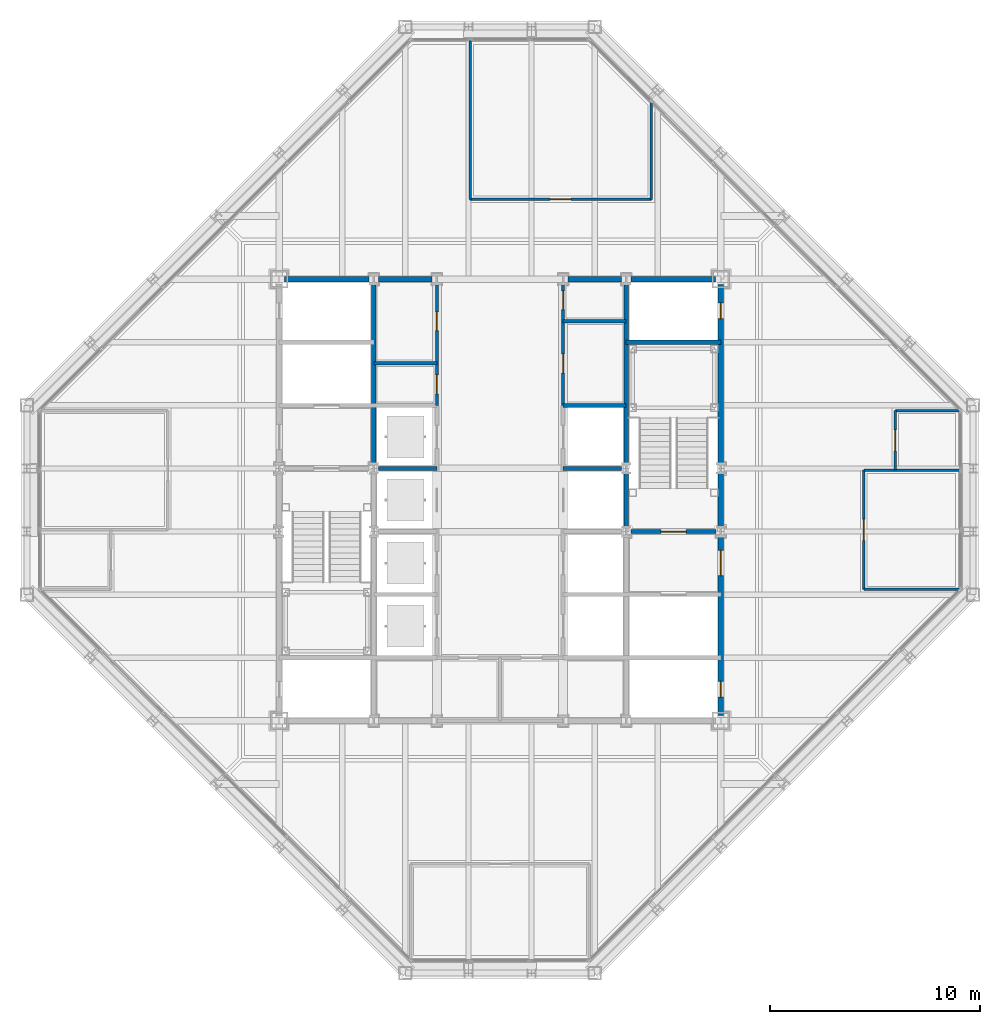
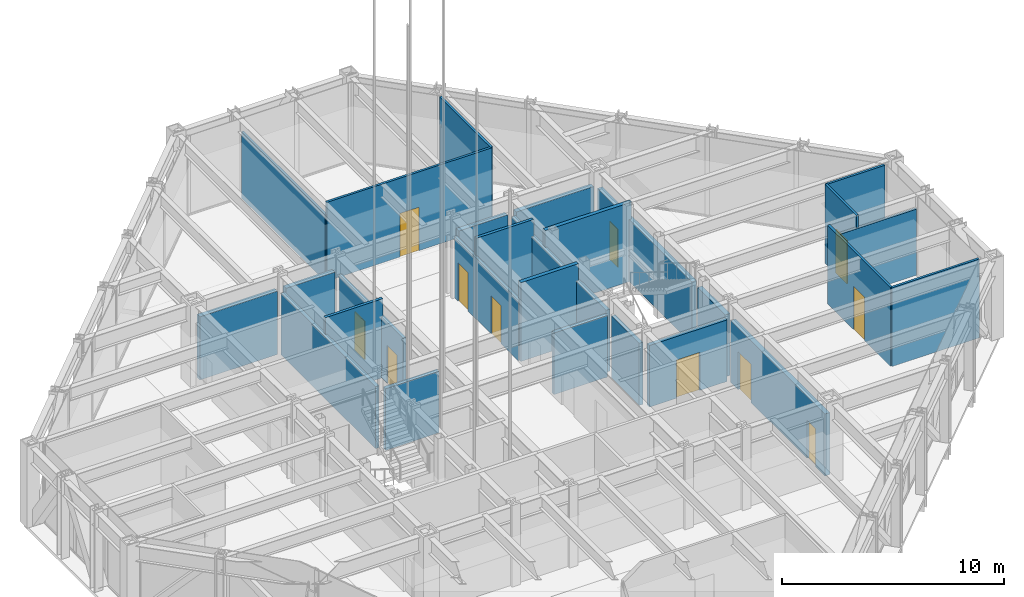
# One storey, part 11 of 24: 27 walls, 11 doors, 11 openings.
"""IFC4 building model written with IfcOpenShell, lengths in metres."""

from ifc_helpers import new_model, si_unit, direction, frame, frame_2d, origin, place, context, subcontext, project, spatial, rectangle, extrude, material, layer, layer_set, type_object, element, fill, save


model = new_model("IFC4")

# Units and contexts
model_context = context("Model", 3, precision=1e-05, world=origin(), true_north=direction((0.0, 1.0)))
body_context = subcontext(model_context, "Body", "Model", "MODEL_VIEW")
ifc_project = project(units=[si_unit("LENGTHUNIT", "METRE"), si_unit("AREAUNIT", "SQUARE_METRE"), si_unit("VOLUMEUNIT", "CUBIC_METRE"), si_unit("PLANEANGLEUNIT", "RADIAN"), si_unit("MASSUNIT", "GRAM", prefix="KILO")], contexts=[model_context])

# Site, building, storey
site_placement = place(None, origin())
site = spatial("IfcSite", under=ifc_project, at=site_placement, CompositionType="ELEMENT")
building_placement = place(site_placement, origin())
building = spatial("IfcBuilding", under=site, at=building_placement, Name="Chuquiago Exchange Tower", CompositionType="ELEMENT")
storey_placement = place(building_placement, frame((0.0, 0.0, 257.699951171875)))
storey = spatial("IfcBuildingStorey", under=building, at=storey_placement, Name="L57", CompositionType="ELEMENT", Elevation=257.699951171875)

# Walls
ifc_material_1 = material(Name="Concrete masonry, fully grouted", Category="masonry")
ifc_layer_1 = layer(ifc_material_1, 0.25)
ifc_layer_set_1 = layer_set([ifc_layer_1], Name="W1 core wall 250")
wall_type_1 = type_object("IfcWallType", Name="W1 core wall 250", PredefinedType="SOLIDWALL", material=ifc_layer_set_1)
wall_1_placement = place(storey_placement, frame((12.25, 33.0, 0.0), z_axis=(0.0, 0.0, 1.0), x_axis=(1.0, 0.0, 0.0)))
element("IfcWall", 1, at=wall_1_placement, inside=storey, type_object=wall_type_1, Name="CW-L57-11-0", PredefinedType="SOLIDWALL", context=body_context, shape_type="SweptSolid", body=[
    extrude(rectangle(XDim=4.025146484375, YDim=0.25, at=frame_2d((2.0126953125, 0.0))), origin(), (0.0, 0.0, 1.0), 3.4814453125),
])
for number, where, z_axis, x_axis, name in (
    (2, (16.724853515625, 33.0, 0.0), (0.0, 0.0, 1.0), (1.0, 0.0, 0.0), "CW-L57-11-1"),
    (3, (25.724853515625, 33.0, 0.0), (0.0, 0.0, 1.0), (1.0, 0.0, 0.0), "CW-L57-12-0"),
):
    element("IfcWall", number, at=place(storey_placement, frame(where, z_axis=z_axis, x_axis=x_axis)), inside=storey, type_object=wall_type_1, Name=name, PredefinedType="SOLIDWALL", context=body_context, shape_type="SweptSolid", body=[
        extrude(rectangle(XDim=2.55029296875, YDim=0.25, at=frame_2d((1.275146484375, 0.0))), origin(), (0.0, 0.0, 1.0), 3.4814453125),
    ])
wall_2_placement = place(storey_placement, frame((28.724853515625, 33.0, 0.0), z_axis=(0.0, 0.0, 1.0), x_axis=(1.0, 0.0, 0.0)))
element("IfcWall", 4, at=wall_2_placement, inside=storey, type_object=wall_type_1, Name="CW-L57-12-1", PredefinedType="SOLIDWALL", context=body_context, shape_type="SweptSolid", body=[
    extrude(rectangle(XDim=4.025146484375, YDim=0.25, at=frame_2d((2.0126953125, 0.0))), origin(), (0.0, 0.0, 1.0), 3.4814453125),
])

# Wall, openings, doors
wall_3_placement = place(storey_placement, frame((33.0, 12.25, 0.0), z_axis=(0.0, 0.0, 1.0), x_axis=(0.0, 1.0, 0.0)))
wall_3 = element("IfcWall", 5, at=wall_3_placement, inside=storey, type_object=wall_type_1, Name="CW-L57-25-0", PredefinedType="SOLIDWALL", context=body_context, shape_type="SweptSolid", body=[
    extrude(rectangle(XDim=8.5, YDim=0.25, at=frame_2d((4.25, 0.0))), origin(), (0.0, 0.0, 1.0), 3.412841796875),
])
opening_1_placement = place(wall_3_placement, frame((6.64990234375, 0.0, 0.0)))
opening_1 = element("IfcOpeningElement", 6, at=opening_1_placement, cuts=wall_3, Name="Opening L57-004", PredefinedType="OPENING", context=body_context, shape_type="SweptSolid", body=[
    extrude(rectangle(XDim=1.199951171875, YDim=2.10009765625, at=frame_2d((0.60009765625, 1.050048828125))), frame((0.0, 0.135009765625, 0.0), z_axis=(0.0, -1.0, 0.0), x_axis=(1.0, 0.0, 0.0)), (0.0, 0.0, 1.0), 0.27001953125),
])
opening_2_placement = place(wall_3_placement, frame((0.875, 0.0, 0.0)))
opening_2 = element("IfcOpeningElement", 7, at=opening_2_placement, cuts=wall_3, Name="Opening L57-009", PredefinedType="OPENING", context=body_context, shape_type="SweptSolid", body=[
    extrude(rectangle(XDim=0.75, YDim=2.10009765625, at=frame_2d((0.375, 1.050048828125))), frame((0.0, 0.135009765625, 0.0), z_axis=(0.0, -1.0, 0.0), x_axis=(1.0, 0.0, 0.0)), (0.0, 0.0, 1.0), 0.27001953125),
])
ifc_material_2 = material(Name="Steel door, painted", Category="steel")
door_type_1 = type_object("IfcDoorType", Name="D5 firefighting lobby door 1200x2100", OperationType="SINGLE_SWING_LEFT", PredefinedType="DOOR", material=ifc_material_2)
door_1_placement = place(opening_1_placement, origin())
door_1 = element("IfcDoor", 8, at=door_1_placement, inside=storey, type_object=door_type_1, Name="Firefighting lobby 2 door", OperationType="SINGLE_SWING_RIGHT", OverallHeight=2.10009765625, OverallWidth=1.199951171875, PredefinedType="DOOR", context=body_context, shape_type="SweptSolid", body=[
    extrude(rectangle(XDim=1.199951171875, YDim=2.10009765625, at=frame_2d((0.60009765625, 1.050048828125))), frame((0.0, 0.02490234375, 0.0), z_axis=(0.0, -1.0, 0.0), x_axis=(1.0, 0.0, 0.0)), (0.0, 0.0, 1.0), 0.050048828125),
])
fill(opening_1, door_1)
ifc_material_3 = material(Name="Steel door, painted", Category="steel")
door_type_2 = type_object("IfcDoorType", Name="D6 riser access door 750x2100", OperationType="SINGLE_SWING_LEFT", PredefinedType="DOOR", material=ifc_material_3)
door_2_placement = place(opening_2_placement, origin())
door_2 = element("IfcDoor", 9, at=door_2_placement, inside=storey, type_object=door_type_2, Name="Riser RE1 door", OperationType="SINGLE_SWING_LEFT", OverallHeight=2.10009765625, OverallWidth=0.75, PredefinedType="DOOR", context=body_context, shape_type="SweptSolid", body=[
    extrude(rectangle(XDim=0.75, YDim=2.10009765625, at=frame_2d((0.375, 1.050048828125))), frame((0.0, 0.02490234375, 0.0), z_axis=(0.0, -1.0, 0.0), x_axis=(1.0, 0.0, 0.0)), (0.0, 0.0, 1.0), 0.050048828125),
])
fill(opening_2, door_2)

# Wall
wall_4_placement = place(storey_placement, frame((33.0, 21.25, 0.0), z_axis=(0.0, 0.0, 1.0), x_axis=(0.0, 1.0, 0.0)))
element("IfcWall", 10, at=wall_4_placement, inside=storey, type_object=wall_type_1, Name="CW-L57-25-1", PredefinedType="SOLIDWALL", context=body_context, shape_type="SweptSolid", body=[
    extrude(rectangle(XDim=2.5, YDim=0.25, at=frame_2d((1.25, 0.0))), origin(), (0.0, 0.0, 1.0), 3.412841796875),
])

# Wall, opening, door
wall_5_placement = place(storey_placement, frame((33.0, 24.25, 0.0), z_axis=(0.0, 0.0, 1.0), x_axis=(0.0, 1.0, 0.0)))
wall_5 = element("IfcWall", 11, at=wall_5_placement, inside=storey, type_object=wall_type_1, Name="CW-L57-25-2", PredefinedType="SOLIDWALL", context=body_context, shape_type="SweptSolid", body=[
    extrude(rectangle(XDim=8.5, YDim=0.25, at=frame_2d((4.25, 0.0))), origin(), (0.0, 0.0, 1.0), 3.412841796875),
])
opening_3_placement = place(wall_5_placement, frame((6.875, 0.0, 0.0)))
opening_3 = element("IfcOpeningElement", 12, at=opening_3_placement, cuts=wall_5, Name="Opening L57-010", PredefinedType="OPENING", context=body_context, shape_type="SweptSolid", body=[
    extrude(rectangle(XDim=0.75, YDim=2.10009765625, at=frame_2d((0.375, 1.050048828125))), frame((0.0, 0.135009765625, 0.0), z_axis=(0.0, -1.0, 0.0), x_axis=(1.0, 0.0, 0.0)), (0.0, 0.0, 1.0), 0.27001953125),
])
door_3_placement = place(opening_3_placement, origin())
door_3 = element("IfcDoor", 13, at=door_3_placement, inside=storey, type_object=door_type_2, Name="Riser RE2 door", OperationType="SINGLE_SWING_RIGHT", OverallHeight=2.10009765625, OverallWidth=0.75, PredefinedType="DOOR", context=body_context, shape_type="SweptSolid", body=[
    extrude(rectangle(XDim=0.75, YDim=2.10009765625, at=frame_2d((0.375, 1.050048828125))), frame((0.0, 0.02490234375, 0.0), z_axis=(0.0, -1.0, 0.0), x_axis=(1.0, 0.0, 0.0)), (0.0, 0.0, 1.0), 0.050048828125),
])
fill(opening_3, door_3)

# Walls
ifc_material_4 = material(Name="Concrete masonry, fully grouted", Category="masonry")
ifc_layer_2 = layer(ifc_material_4, 0.199951171875)
ifc_layer_set_2 = layer_set([ifc_layer_2], Name="W2 shaft wall 200")
wall_type_2 = type_object("IfcWallType", Name="W2 shaft wall 200", PredefinedType="SOLIDWALL", material=ifc_layer_set_2)
for number, where, z_axis, x_axis, name in (
    (14, (16.724853515625, 24.0, 0.0), (0.0, 0.0, 1.0), (1.0, 0.0, 0.0), "CW-L57-05-1"),
    (15, (25.5, 24.0, 0.0), (0.0, 0.0, 1.0), (1.0, 0.0, 0.0), "CW-L57-06-0"),
):
    element("IfcWall", number, at=place(storey_placement, frame(where, z_axis=z_axis, x_axis=x_axis)), inside=storey, type_object=wall_type_2, Name=name, PredefinedType="SOLIDWALL", context=body_context, shape_type="SweptSolid", body=[
        extrude(rectangle(XDim=2.775146484375, YDim=0.199951171875, at=frame_2d((1.3876953125, 0.0))), origin(), (0.0, 0.0, 1.0), 3.39013671875),
    ])
wall_6_placement = place(storey_placement, frame((25.5, 27.0, 0.0), z_axis=(0.0, 0.0, 1.0), x_axis=(1.0, 0.0, 0.0)))
element("IfcWall", 16, at=wall_6_placement, inside=storey, type_object=wall_type_2, Name="CW-L57-08-0", PredefinedType="SOLIDWALL", context=body_context, shape_type="SweptSolid", body=[
    extrude(rectangle(XDim=3.0, YDim=0.199951171875, at=frame_2d((1.5, 0.0))), origin(), (0.0, 0.0, 1.0), 4.340087890625),
])
wall_7_placement = place(storey_placement, frame((28.5, 30.0, 0.0), z_axis=(0.0, 0.0, 1.0), x_axis=(1.0, 0.0, 0.0)))
element("IfcWall", 17, at=wall_7_placement, inside=storey, type_object=wall_type_2, Name="CW-L57-10-0", PredefinedType="SOLIDWALL", context=body_context, shape_type="SweptSolid", body=[
    extrude(rectangle(XDim=4.5, YDim=0.199951171875, at=frame_2d((2.25, 0.0))), origin(), (0.0, 0.0, 1.0), 4.340087890625),
])
wall_8_placement = place(storey_placement, frame((16.5, 24.25, 0.0), z_axis=(0.0, 0.0, 1.0), x_axis=(0.0, 1.0, 0.0)))
element("IfcWall", 18, at=wall_8_placement, inside=storey, type_object=wall_type_2, Name="CW-L57-13-2", PredefinedType="SOLIDWALL", context=body_context, shape_type="SweptSolid", body=[
    extrude(rectangle(XDim=8.5, YDim=0.199951171875, at=frame_2d((4.25, 0.0))), origin(), (0.0, 0.0, 1.0), 3.412841796875),
])

# Wall, opening, door
wall_9_placement = place(storey_placement, frame((28.724853515625, 21.0, 0.0), z_axis=(0.0, 0.0, 1.0), x_axis=(1.0, 0.0, 0.0)))
wall_9 = element("IfcWall", 19, at=wall_9_placement, inside=storey, type_object=wall_type_2, Name="CW-L57-17-1", PredefinedType="SOLIDWALL", context=body_context, shape_type="SweptSolid", body=[
    extrude(rectangle(XDim=4.05029296875, YDim=0.199951171875, at=frame_2d((2.025146484375, 0.0))), origin(), (0.0, 0.0, 1.0), 3.39013671875),
])
opening_4_placement = place(wall_9_placement, frame((1.42529296875, 0.0, 0.0)))
opening_4 = element("IfcOpeningElement", 20, at=opening_4_placement, cuts=wall_9, Name="Opening L57-003", PredefinedType="OPENING", context=body_context, shape_type="SweptSolid", body=[
    extrude(rectangle(XDim=1.199951171875, YDim=2.10009765625, at=frame_2d((0.60009765625, 1.050048828125))), frame((0.0, 0.10986328125, 0.0), z_axis=(0.0, -1.0, 0.0), x_axis=(1.0, 0.0, 0.0)), (0.0, 0.0, 1.0), 0.219970703125),
])
ifc_material_5 = material(Name="Steel door, painted", Category="steel")
door_type_3 = type_object("IfcDoorType", Name="D4 stair door 1200x2100", OperationType="SINGLE_SWING_LEFT", PredefinedType="DOOR", material=ifc_material_5)
door_4_placement = place(opening_4_placement, origin())
door_4 = element("IfcDoor", 21, at=door_4_placement, inside=storey, type_object=door_type_3, Name="Stair ST2 door", OperationType="SINGLE_SWING_RIGHT", OverallHeight=2.10009765625, OverallWidth=1.199951171875, PredefinedType="DOOR", context=body_context, shape_type="SweptSolid", body=[
    extrude(rectangle(XDim=1.199951171875, YDim=2.10009765625, at=frame_2d((0.60009765625, 1.050048828125))), frame((0.0, 0.02490234375, 0.0), z_axis=(0.0, -1.0, 0.0), x_axis=(1.0, 0.0, 0.0)), (0.0, 0.0, 1.0), 0.050048828125),
])
fill(opening_4, door_4)

# Walls
wall_10_placement = place(storey_placement, frame((28.5, 21.25, 0.0), z_axis=(0.0, 0.0, 1.0), x_axis=(0.0, 1.0, 0.0)))
element("IfcWall", 22, at=wall_10_placement, inside=storey, type_object=wall_type_2, Name="CW-L57-24-1", PredefinedType="SOLIDWALL", context=body_context, shape_type="SweptSolid", body=[
    extrude(rectangle(XDim=2.5, YDim=0.199951171875, at=frame_2d((1.25, 0.0))), origin(), (0.0, 0.0, 1.0), 3.412841796875),
])
wall_11_placement = place(storey_placement, frame((28.5, 24.25, 0.0), z_axis=(0.0, 0.0, 1.0), x_axis=(0.0, 1.0, 0.0)))
element("IfcWall", 23, at=wall_11_placement, inside=storey, type_object=wall_type_2, Name="CW-L57-24-2", PredefinedType="SOLIDWALL", context=body_context, shape_type="SweptSolid", body=[
    extrude(rectangle(XDim=8.5, YDim=0.199951171875, at=frame_2d((4.25, 0.0))), origin(), (0.0, 0.0, 1.0), 3.412841796875),
])

# Wall, openings, doors
ifc_material_6 = material(Name="Gypsum board on steel studs", Category="steel")
ifc_layer_3 = layer(ifc_material_6, 0.14990234375)
ifc_layer_set_3 = layer_set([ifc_layer_3], Name="W3 core partition 150")
wall_type_3 = type_object("IfcWallType", Name="W3 core partition 150", PredefinedType="PARTITIONING", material=ifc_layer_set_3)
wall_12_placement = place(storey_placement, frame((19.5, 27.0, 0.0), z_axis=(0.0, 0.0, 1.0), x_axis=(0.0, 1.0, 0.0)))
wall_12 = element("IfcWall", 24, at=wall_12_placement, inside=storey, type_object=wall_type_3, Name="CW-L57-20-0", PredefinedType="PARTITIONING", context=body_context, shape_type="SweptSolid", body=[
    extrude(rectangle(XDim=5.75, YDim=0.14990234375, at=frame_2d((2.875, 0.0))), origin(), (0.0, 0.0, 1.0), 3.36474609375),
])
opening_5_placement = place(wall_12_placement, frame((0.550048828125, 0.0, 0.0)))
opening_5 = element("IfcOpeningElement", 25, at=opening_5_placement, cuts=wall_12, Name="Opening L57-011", PredefinedType="OPENING", context=body_context, shape_type="SweptSolid", body=[
    extrude(rectangle(XDim=0.89990234375, YDim=2.10009765625, at=frame_2d((0.449951171875, 1.050048828125))), frame((0.0, 0.0849609375, 0.0), z_axis=(0.0, -1.0, 0.0), x_axis=(1.0, 0.0, 0.0)), (0.0, 0.0, 1.0), 0.169921875),
])
opening_6_placement = place(wall_12_placement, frame((3.550048828125, 0.0, 0.0)))
opening_6 = element("IfcOpeningElement", 26, at=opening_6_placement, cuts=wall_12, Name="Opening L57-012", PredefinedType="OPENING", context=body_context, shape_type="SweptSolid", body=[
    extrude(rectangle(XDim=0.89990234375, YDim=2.10009765625, at=frame_2d((0.449951171875, 1.050048828125))), frame((0.0, 0.0849609375, 0.0), z_axis=(0.0, -1.0, 0.0), x_axis=(1.0, 0.0, 0.0)), (0.0, 0.0, 1.0), 0.169921875),
])
ifc_material_7 = material(Name="Timber door, laminate faced", Category="wood")
door_type_4 = type_object("IfcDoorType", Name="D16 core room door 900x2100", OperationType="SINGLE_SWING_LEFT", PredefinedType="DOOR", material=ifc_material_7)
door_5_placement = place(opening_5_placement, origin())
door_5 = element("IfcDoor", 27, at=door_5_placement, inside=storey, type_object=door_type_4, Name="First aid room door", OperationType="SINGLE_SWING_LEFT", OverallHeight=2.10009765625, OverallWidth=0.89990234375, PredefinedType="DOOR", context=body_context, shape_type="SweptSolid", body=[
    extrude(rectangle(XDim=0.89990234375, YDim=2.10009765625, at=frame_2d((0.449951171875, 1.050048828125))), frame((0.0, 0.02490234375, 0.0), z_axis=(0.0, -1.0, 0.0), x_axis=(1.0, 0.0, 0.0)), (0.0, 0.0, 1.0), 0.050048828125),
])
fill(opening_5, door_5)
ifc_material_8 = material(Name="Timber door, laminate faced", Category="wood")
door_type_5 = type_object("IfcDoorType", Name="D7 toilet door 900x2100", OperationType="SINGLE_SWING_LEFT", PredefinedType="DOOR", material=ifc_material_8)
door_6_placement = place(opening_6_placement, origin())
door_6 = element("IfcDoor", 28, at=door_6_placement, inside=storey, type_object=door_type_5, Name="Male WC door", OperationType="SINGLE_SWING_RIGHT", OverallHeight=2.10009765625, OverallWidth=0.89990234375, PredefinedType="DOOR", context=body_context, shape_type="SweptSolid", body=[
    extrude(rectangle(XDim=0.89990234375, YDim=2.10009765625, at=frame_2d((0.449951171875, 1.050048828125))), frame((0.0, 0.02490234375, 0.0), z_axis=(0.0, -1.0, 0.0), x_axis=(1.0, 0.0, 0.0)), (0.0, 0.0, 1.0), 0.050048828125),
])
fill(opening_6, door_6)

wall_13_placement = place(storey_placement, frame((25.5, 27.0, 0.0), z_axis=(0.0, 0.0, 1.0), x_axis=(0.0, 1.0, 0.0)))
wall_13 = element("IfcWall", 29, at=wall_13_placement, inside=storey, type_object=wall_type_3, Name="CW-L57-23-0", PredefinedType="PARTITIONING", context=body_context, shape_type="SweptSolid", body=[
    extrude(rectangle(XDim=5.75, YDim=0.14990234375, at=frame_2d((2.875, 0.0))), origin(), (0.0, 0.0, 1.0), 3.36474609375),
])
opening_7_placement = place(wall_13_placement, frame((1.550048828125, 0.0, 0.0)))
opening_7 = element("IfcOpeningElement", 30, at=opening_7_placement, cuts=wall_13, Name="Opening L57-013", PredefinedType="OPENING", context=body_context, shape_type="SweptSolid", body=[
    extrude(rectangle(XDim=0.89990234375, YDim=2.10009765625, at=frame_2d((0.449951171875, 1.050048828125))), frame((0.0, 0.0849609375, 0.0), z_axis=(0.0, -1.0, 0.0), x_axis=(1.0, 0.0, 0.0)), (0.0, 0.0, 1.0), 0.169921875),
])
opening_8_placement = place(wall_13_placement, frame((4.550048828125, 0.0, 0.0)))
opening_8 = element("IfcOpeningElement", 31, at=opening_8_placement, cuts=wall_13, Name="Opening L57-014", PredefinedType="OPENING", context=body_context, shape_type="SweptSolid", body=[
    extrude(rectangle(XDim=0.89990234375, YDim=2.10009765625, at=frame_2d((0.449951171875, 1.050048828125))), frame((0.0, 0.0849609375, 0.0), z_axis=(0.0, -1.0, 0.0), x_axis=(1.0, 0.0, 0.0)), (0.0, 0.0, 1.0), 0.169921875),
])
door_7_placement = place(opening_8_placement, frame((0.89990234375, 0.0, 0.0), z_axis=(0.0, 0.0, 1.0), x_axis=(-1.0, 0.0, 0.0)))
door_7 = element("IfcDoor", 32, at=door_7_placement, inside=storey, type_object=door_type_4, Name="Staff shower room door", OperationType="SINGLE_SWING_LEFT", OverallHeight=2.10009765625, OverallWidth=0.89990234375, PredefinedType="DOOR", context=body_context, shape_type="SweptSolid", body=[
    extrude(rectangle(XDim=0.89990234375, YDim=2.10009765625, at=frame_2d((0.449951171875, 1.050048828125))), frame((0.0, 0.02490234375, 0.0), z_axis=(0.0, -1.0, 0.0), x_axis=(1.0, 0.0, 0.0)), (0.0, 0.0, 1.0), 0.050048828125),
])
fill(opening_8, door_7)
door_8_placement = place(opening_7_placement, frame((0.89990234375, 0.0, 0.0), z_axis=(0.0, 0.0, 1.0), x_axis=(-1.0, 0.0, 0.0)))
door_8 = element("IfcDoor", 33, at=door_8_placement, inside=storey, type_object=door_type_5, Name="Female WC door", OperationType="SINGLE_SWING_RIGHT", OverallHeight=2.10009765625, OverallWidth=0.89990234375, PredefinedType="DOOR", context=body_context, shape_type="SweptSolid", body=[
    extrude(rectangle(XDim=0.89990234375, YDim=2.10009765625, at=frame_2d((0.449951171875, 1.050048828125))), frame((0.0, 0.02490234375, 0.0), z_axis=(0.0, -1.0, 0.0), x_axis=(1.0, 0.0, 0.0)), (0.0, 0.0, 1.0), 0.050048828125),
])
fill(opening_7, door_8)

# Walls
for number, where, z_axis, x_axis, name in (
    (34, (16.5, 29.0, 0.0), (0.0, 0.0, 1.0), (1.0, 0.0, 0.0), "CW-L57-WCMS"),
    (35, (25.5, 31.0, 0.0), (0.0, 0.0, 1.0), (1.0, 0.0, 0.0), "CW-L57-WCFS"),
):
    element("IfcWall", number, at=place(storey_placement, frame(where, z_axis=z_axis, x_axis=x_axis)), inside=storey, type_object=wall_type_3, Name=name, PredefinedType="PARTITIONING", context=body_context, shape_type="SweptSolid", body=[
        extrude(rectangle(XDim=3.0, YDim=0.14990234375, at=frame_2d((1.5, 0.0))), origin(), (0.0, 0.0, 1.0), 4.340087890625),
    ])
ifc_material_9 = material(Name="Gypsum board on steel studs", Category="steel")
ifc_layer_4 = layer(ifc_material_9, 0.1201171875)
ifc_layer_set_4 = layer_set([ifc_layer_4], Name="W4 partition 120")
wall_type_4 = type_object("IfcWallType", Name="W4 partition 120", PredefinedType="PARTITIONING", material=ifc_layer_set_4)
wall_14_placement = place(storey_placement, frame((44.333984375, 18.24853515625, 0.0), z_axis=(0.0, 0.0, 1.0), x_axis=(-1.0, 0.0, 0.0)))
element("IfcWall", 36, at=wall_14_placement, inside=storey, type_object=wall_type_4, Name="PW-L57-E01825", PredefinedType="PARTITIONING", context=body_context, shape_type="SweptSolid", body=[
    extrude(rectangle(XDim=4.533935546875, YDim=0.1201171875, at=frame_2d((2.26708984375, 0.0))), origin(), (0.0, 0.0, 1.0), 4.340087890625),
])
wall_15_placement = place(storey_placement, frame((44.347412109375, 23.917236328125, 0.0), z_axis=(0.0, 0.0, 1.0), x_axis=(-1.0, 0.0, 0.0)))
element("IfcWall", 37, at=wall_15_placement, inside=storey, type_object=wall_type_4, Name="PW-L57-E02392", PredefinedType="PARTITIONING", context=body_context, shape_type="SweptSolid", body=[
    extrude(rectangle(XDim=4.54736328125, YDim=0.1201171875, at=frame_2d((2.273681640625, 0.0))), origin(), (0.0, 0.0, 1.0), 3.646728515625),
])
wall_16_placement = place(storey_placement, frame((44.333984375, 26.75146484375, 0.0), z_axis=(0.0, 0.0, 1.0), x_axis=(-1.0, 0.0, 0.0)))
element("IfcWall", 38, at=wall_16_placement, inside=storey, type_object=wall_type_4, Name="PW-L57-E02675", PredefinedType="PARTITIONING", context=body_context, shape_type="SweptSolid", body=[
    extrude(rectangle(XDim=3.033935546875, YDim=0.1201171875, at=frame_2d((1.51708984375, 0.0))), origin(), (0.0, 0.0, 1.0), 4.340087890625),
])

# Wall, opening, door
wall_17_placement = place(storey_placement, frame((39.800048828125, 18.24853515625, 0.0), z_axis=(0.0, 0.0, 1.0), x_axis=(0.0, 1.0, 0.0)))
wall_17 = element("IfcWall", 39, at=wall_17_placement, inside=storey, type_object=wall_type_4, Name="PW-L57-EF01825", PredefinedType="PARTITIONING", context=body_context, shape_type="SweptSolid", body=[
    extrude(rectangle(XDim=5.668701171875, YDim=0.1201171875, at=frame_2d((2.83447265625, 0.0))), origin(), (0.0, 0.0, 1.0), 4.340087890625),
])
opening_9_placement = place(wall_17_placement, frame((2.33447265625, 0.0, 0.0)))
opening_9 = element("IfcOpeningElement", 40, at=opening_9_placement, cuts=wall_17, Name="Opening L57-026", PredefinedType="OPENING", context=body_context, shape_type="SweptSolid", body=[
    extrude(rectangle(XDim=1.0, YDim=2.39990234375, at=frame_2d((0.5, 1.199951171875))), frame((0.0, 0.070068359375, 0.0), z_axis=(0.0, -1.0, 0.0), x_axis=(1.0, 0.0, 0.0)), (0.0, 0.0, 1.0), 0.14013671875),
])
ifc_material_10 = material(Name="Timber frame door, full height glazed panel", Category="wood")
door_type_6 = type_object("IfcDoorType", Name="D14 glazed meeting room door 1000x2400", OperationType="SINGLE_SWING_LEFT", PredefinedType="DOOR", material=ifc_material_10)
door_9_placement = place(opening_9_placement, frame((1.0, 0.0, 0.0), z_axis=(0.0, 0.0, 1.0), x_axis=(-1.0, 0.0, 0.0)))
door_9 = element("IfcDoor", 41, at=door_9_placement, inside=storey, type_object=door_type_6, Name="Meeting room door", OperationType="SINGLE_SWING_LEFT", OverallHeight=2.39990234375, OverallWidth=1.0, PredefinedType="DOOR", context=body_context, shape_type="SweptSolid", body=[
    extrude(rectangle(XDim=1.0, YDim=2.39990234375, at=frame_2d((0.5, 1.199951171875))), frame((0.0, 0.02490234375, 0.0), z_axis=(0.0, -1.0, 0.0), x_axis=(1.0, 0.0, 0.0)), (0.0, 0.0, 1.0), 0.050048828125),
])
fill(opening_9, door_9)

wall_18_placement = place(storey_placement, frame((41.300048828125, 23.917236328125, 0.0), z_axis=(0.0, 0.0, 1.0), x_axis=(0.0, 1.0, 0.0)))
wall_18 = element("IfcWall", 42, at=wall_18_placement, inside=storey, type_object=wall_type_4, Name="PW-L57-EF02392", PredefinedType="PARTITIONING", context=body_context, shape_type="SweptSolid", body=[
    extrude(rectangle(XDim=2.834228515625, YDim=0.1201171875, at=frame_2d((1.4169921875, 0.0))), origin(), (0.0, 0.0, 1.0), 4.340087890625),
])
opening_10_placement = place(wall_18_placement, frame((0.9169921875, 0.0, 0.0)))
opening_10 = element("IfcOpeningElement", 43, at=opening_10_placement, cuts=wall_18, Name="Opening L57-027", PredefinedType="OPENING", context=body_context, shape_type="SweptSolid", body=[
    extrude(rectangle(XDim=1.0, YDim=2.39990234375, at=frame_2d((0.5, 1.199951171875))), frame((0.0, 0.070068359375, 0.0), z_axis=(0.0, -1.0, 0.0), x_axis=(1.0, 0.0, 0.0)), (0.0, 0.0, 1.0), 0.14013671875),
])
ifc_material_11 = material(Name="Timber door, laminate faced", Category="wood")
door_type_7 = type_object("IfcDoorType", Name="D9 room door 1000x2400", OperationType="SINGLE_SWING_LEFT", PredefinedType="DOOR", material=ifc_material_11)
door_10_placement = place(opening_10_placement, frame((1.0, 0.0, 0.0), z_axis=(0.0, 0.0, 1.0), x_axis=(-1.0, 0.0, 0.0)))
door_10 = element("IfcDoor", 44, at=door_10_placement, inside=storey, type_object=door_type_7, Name="Store door", OperationType="SINGLE_SWING_RIGHT", OverallHeight=2.39990234375, OverallWidth=1.0, PredefinedType="DOOR", context=body_context, shape_type="SweptSolid", body=[
    extrude(rectangle(XDim=1.0, YDim=2.39990234375, at=frame_2d((0.5, 1.199951171875))), frame((0.0, 0.02490234375, 0.0), z_axis=(0.0, -1.0, 0.0), x_axis=(1.0, 0.0, 0.0)), (0.0, 0.0, 1.0), 0.050048828125),
])
fill(opening_10, door_10)

# Walls
wall_19_placement = place(storey_placement, frame((21.082763671875, 44.347412109375, 0.0), z_axis=(0.0, 0.0, 1.0), x_axis=(0.0, -1.0, 0.0)))
element("IfcWall", 45, at=wall_19_placement, inside=storey, type_object=wall_type_4, Name="PW-L57-N02108", PredefinedType="PARTITIONING", context=body_context, shape_type="SweptSolid", body=[
    extrude(rectangle(XDim=7.54736328125, YDim=0.1201171875, at=frame_2d((3.773681640625, 0.0))), origin(), (0.0, 0.0, 1.0), 3.646728515625),
])
wall_20_placement = place(storey_placement, frame((29.69287109375, 41.392578125, 0.0), z_axis=(0.0, 0.0, 1.0), x_axis=(0.0, -1.0, 0.0)))
element("IfcWall", 46, at=wall_20_placement, inside=storey, type_object=wall_type_4, Name="PW-L57-N02969", PredefinedType="PARTITIONING", context=body_context, shape_type="SweptSolid", body=[
    extrude(rectangle(XDim=4.592529296875, YDim=0.1201171875, at=frame_2d((2.29638671875, 0.0))), origin(), (0.0, 0.0, 1.0), 4.340087890625),
])

# Wall, opening, door
wall_21_placement = place(storey_placement, frame((21.082763671875, 36.800048828125, 0.0), z_axis=(0.0, 0.0, 1.0), x_axis=(1.0, 0.0, 0.0)))
wall_21 = element("IfcWall", 47, at=wall_21_placement, inside=storey, type_object=wall_type_4, Name="PW-L57-NF02108", PredefinedType="PARTITIONING", context=body_context, shape_type="SweptSolid", body=[
    extrude(rectangle(XDim=8.610107421875, YDim=0.1201171875, at=frame_2d((4.30517578125, 0.0))), origin(), (0.0, 0.0, 1.0), 4.340087890625),
])
opening_11_placement = place(wall_21_placement, frame((3.80517578125, 0.0, 0.0)))
opening_11 = element("IfcOpeningElement", 48, at=opening_11_placement, cuts=wall_21, Name="Opening L57-028", PredefinedType="OPENING", context=body_context, shape_type="SweptSolid", body=[
    extrude(rectangle(XDim=1.0, YDim=2.39990234375, at=frame_2d((0.5, 1.199951171875))), frame((0.0, 0.070068359375, 0.0), z_axis=(0.0, -1.0, 0.0), x_axis=(1.0, 0.0, 0.0)), (0.0, 0.0, 1.0), 0.14013671875),
])
door_11_placement = place(opening_11_placement, origin())
door_11 = element("IfcDoor", 49, at=door_11_placement, inside=storey, type_object=door_type_7, Name="Listing office door", OperationType="SINGLE_SWING_RIGHT", OverallHeight=2.39990234375, OverallWidth=1.0, PredefinedType="DOOR", context=body_context, shape_type="SweptSolid", body=[
    extrude(rectangle(XDim=1.0, YDim=2.39990234375, at=frame_2d((0.5, 1.199951171875))), frame((0.0, 0.02490234375, 0.0), z_axis=(0.0, -1.0, 0.0), x_axis=(1.0, 0.0, 0.0)), (0.0, 0.0, 1.0), 0.050048828125),
])
fill(opening_11, door_11)

save(model, "model.ifc")
